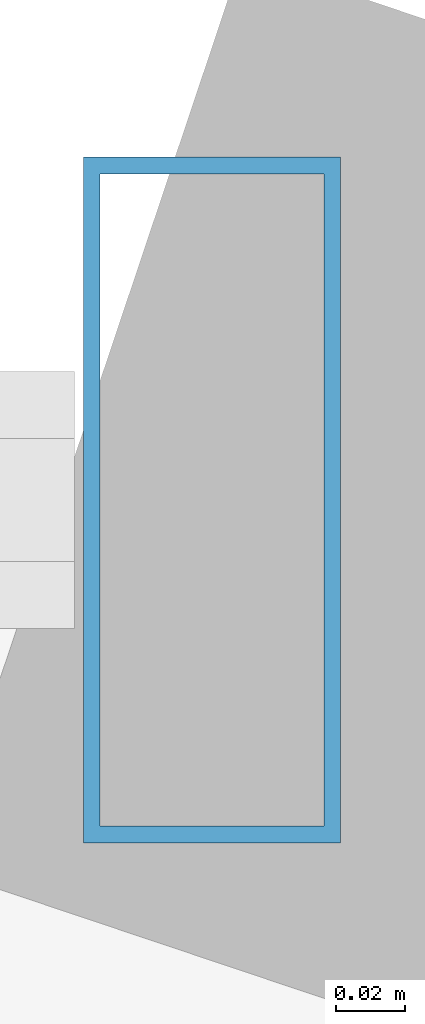
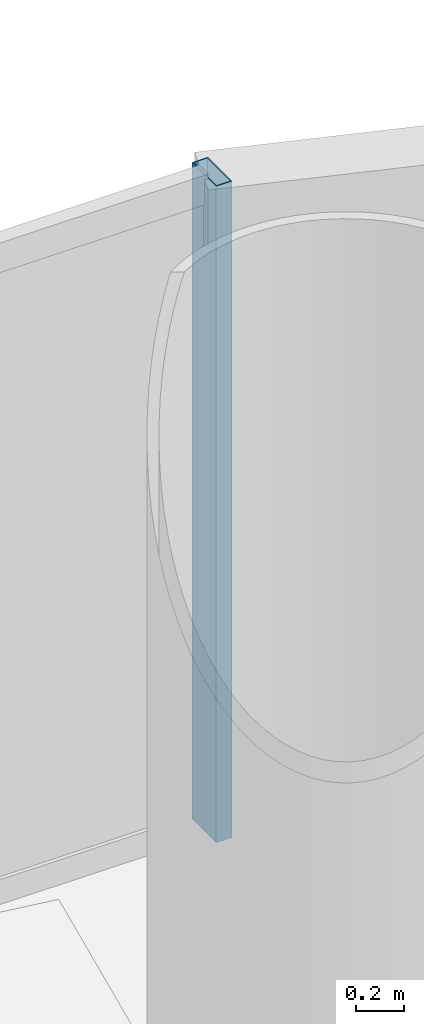
# One storey, part 19 of 29: 1 member, 1 element without a shape of its own.
"""IFC4 building model written with IfcOpenShell, lengths in metres."""

from ifc_helpers import new_model, si_unit, direction, frame, origin, origin_2d, place, context, subcontext, project, spatial, hollow_rectangle, extrude, source, transform, mapped, material, material_profile, profile_set, type_object, element, aggregate, save


model = new_model("IFC4")

# Units and contexts
model_context = context("Model", 3, precision=1e-05, world=origin(), true_north=direction((-0.2419218956, 0.970295726276)))
body_context = subcontext(model_context, "Body", "Model", "MODEL_VIEW")
ifc_project = project(units=[si_unit("LENGTHUNIT", "METRE"), si_unit("AREAUNIT", "SQUARE_METRE"), si_unit("VOLUMEUNIT", "CUBIC_METRE"), si_unit("PLANEANGLEUNIT", "RADIAN"), si_unit("MASSUNIT", "GRAM", prefix="KILO")], contexts=[model_context])

# Site, building, storey
site_placement = place(None, origin())
site = spatial("IfcSite", under=ifc_project, at=site_placement, CompositionType="ELEMENT")
building_placement = place(site_placement, origin())
building = spatial("IfcBuilding", under=site, at=building_placement, Name="Cobrevalo Terracotta Tower", CompositionType="ELEMENT")
storey_placement = place(building_placement, frame((0.0, 0.0, 49.199951171875)))
storey = spatial("IfcBuildingStorey", under=building, at=storey_placement, Name="L12", CompositionType="ELEMENT", Elevation=49.199951171875)

# Curtain wall, member
ifc_material = material(Name="Anodized aluminium", Category="aluminium")
curtain_wall_type = type_object("IfcCurtainWallType", Name="Lower-tower unitised acoustic low-E curtain wall CW-U1", PredefinedType="NOTDEFINED", material=ifc_material)
curtain_wall_placement = place(storey_placement, origin())
curtain_wall = element("IfcCurtainWall", 1, at=curtain_wall_placement, inside=storey, type_object=curtain_wall_type, Name="L12 curtain wall CW-L12-S04", PredefinedType="NOTDEFINED")
ifc_material_profile = material_profile(ifc_material, hollow_rectangle(XDim=0.074951171875, YDim=0.199951171875, WallThickness=0.0048828125, at=origin_2d()), Name="CWM 75x200")
ifc_profile_set = profile_set([ifc_material_profile], Name="Anodized aluminium")
member_type = type_object("IfcMemberType", Name="Lower/mid tower unitised mullion 75x200", PredefinedType="MULLION", material=ifc_profile_set)
shared_shape = source(origin(), body_context, "Body", "SweptSolid", [
    extrude(hollow_rectangle(XDim=0.074951171875, YDim=0.199951171875, WallThickness=0.0048828125, at=origin_2d()), origin(), (0.0, 0.0, 1.0), 3.320068359375),
])
member_placement = place(storey_placement, frame((43.61181640625, 49.819091796875, 0.0), z_axis=(0.0, 0.0, 1.0), x_axis=(-1.0, 0.0, 0.0)))
member = element("IfcMember", 2, at=member_placement, type_object=member_type, Name="CW-L12-S04 vertical mullion 01", PredefinedType="MULLION", context=body_context, shape_type="MappedRepresentation", body=[
    mapped(shared_shape, transform((0.0, 0.0, 0.0), scale=1.0)),
])
aggregate(curtain_wall, [member])

save(model, "model.ifc")
